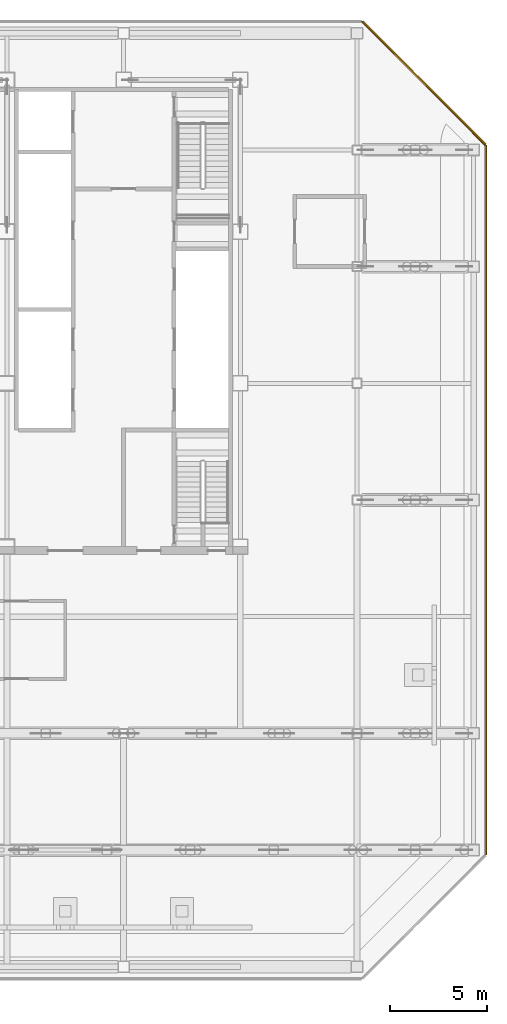
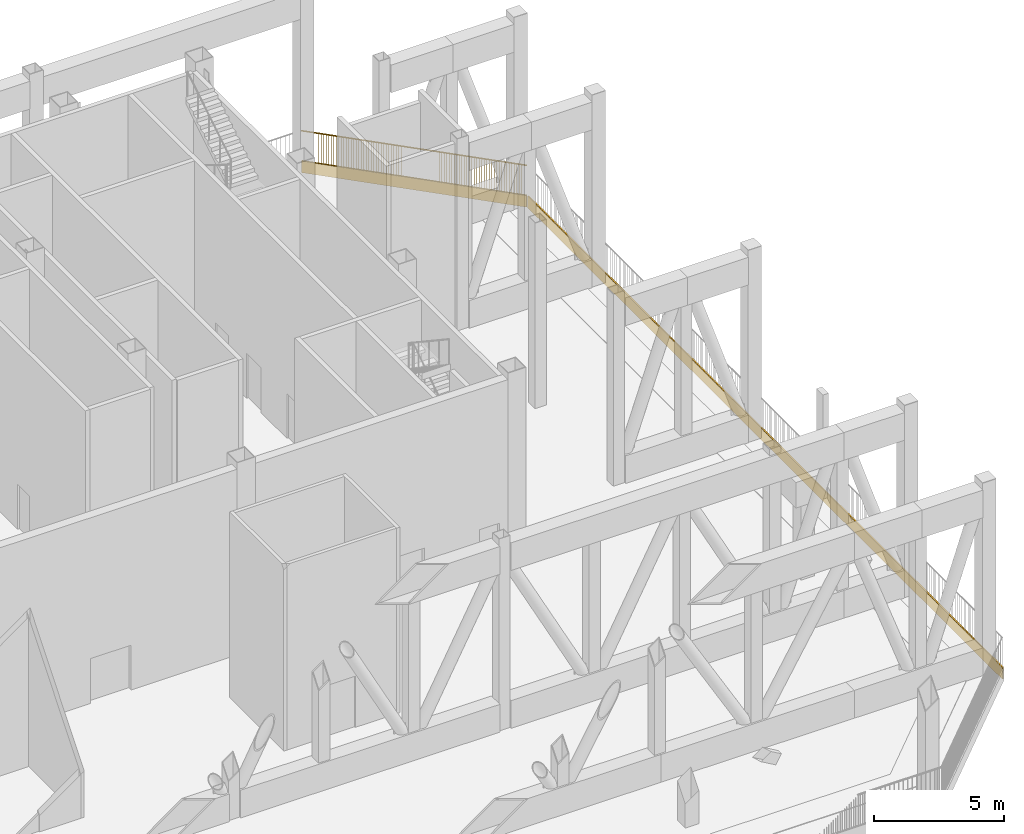
# One storey, part 21 of 22: 2 coverings, 1 railing.
"""IFC4 building model written with IfcOpenShell, lengths in metres."""

from ifc_helpers import new_model, si_unit, direction, frame, origin, origin_2d, place, context, subcontext, project, spatial, polyline, circle, outline, extrude, material, layer, layer_set, type_object, element, save


model = new_model("IFC4")

# Units and contexts
model_context = context("Model", 3, precision=1e-05, world=origin(), true_north=direction((0.0, 1.0)))
body_context = subcontext(model_context, "Body", "Model", "MODEL_VIEW")
ifc_project = project(units=[si_unit("LENGTHUNIT", "METRE"), si_unit("AREAUNIT", "SQUARE_METRE"), si_unit("VOLUMEUNIT", "CUBIC_METRE"), si_unit("PLANEANGLEUNIT", "RADIAN"), si_unit("MASSUNIT", "GRAM", prefix="KILO")], contexts=[model_context])

# Site, building, storey
site_placement = place(None, origin())
site = spatial("IfcSite", under=ifc_project, at=site_placement, CompositionType="ELEMENT")
building_placement = place(site_placement, origin())
building = spatial("IfcBuilding", under=site, at=building_placement, Name="Sorahane Residences", CompositionType="ELEMENT")
storey_placement = place(building_placement, frame((0.0, 0.0, 281.800048828125)))
storey = spatial("IfcBuildingStorey", under=building, at=storey_placement, Name="L67", CompositionType="ELEMENT", Elevation=281.800048828125)

# Coverings
ifc_material_1 = material(Name="White painted aluminium cladding", Category="aluminium")
ifc_layer = layer(ifc_material_1, 0.06005859375)
ifc_layer_set = layer_set([ifc_layer], Name="Slab edge fascia band white painted aluminium 550")
covering_type = type_object("IfcCoveringType", Name="Slab edge fascia band white painted aluminium 550", PredefinedType="CLADDING", material=ifc_layer_set)
covering_1_placement = place(storey_placement, frame((54.60009765625, 5.771484375, -0.275146484375), z_axis=(0.0, 1.0, 0.0), x_axis=(-1.0, 0.0, 0.0)))
element("IfcCovering", 1, at=covering_1_placement, inside=storey, type_object=covering_type, Name="Slab edge fascia white L67 E1", PredefinedType="CLADDING", context=body_context, shape_type="SweptSolid", body=[
    extrude(outline(polyline([(-0.02001953125, 0.27490234375), (-0.080078125, 0.27490234375), (-0.080078125, -0.27490234375), (-0.02001953125, -0.27490234375), (-0.02001953125, 0.27490234375)])), origin(), (0.0, 0.0, 1.0), 36.45703125),
])
covering_2_placement = place(storey_placement, frame((54.5859375, 42.2626953125, -0.275146484375), z_axis=(-0.707106781187, 0.707106781187, 0.0), x_axis=(-0.707106781187, -0.707106781187, 0.0)))
element("IfcCovering", 2, at=covering_2_placement, inside=storey, type_object=covering_type, Name="Slab edge fascia white L67 NE1", PredefinedType="CLADDING", context=body_context, shape_type="SweptSolid", body=[
    extrude(outline(polyline([(-0.02001953125, 0.27490234375), (-0.080078125, 0.27490234375), (-0.080078125, -0.27490234375), (-0.02001953125, -0.27490234375), (-0.02001953125, 0.27490234375)])), origin(), (0.0, 0.0, 1.0), 8.9423828125),
])

# Railing
ifc_material_2 = material(Name="Black powder-coated steel", Category="steel")
railing_type = type_object("IfcRailingType", Name="Slot edge guard black steel bars 1460", PredefinedType="GUARDRAIL", material=ifc_material_2)
railing_placement = place(storey_placement, frame((54.60009765625, 42.24853515625, 0.0)))
element("IfcRailing", 3, at=railing_placement, inside=storey, type_object=railing_type, Name="Slot edge guard L67.4", PredefinedType="GUARDRAIL", context=body_context, shape_type="SweptSolid", body=[
    extrude(circle(Radius=0.030029296875, at=origin_2d()), frame((0.0, 0.0, 1.429931640625), z_axis=(-0.707106781187, 0.707106781187, 0.0), x_axis=(-0.707106781187, -0.707106781187, 0.0)), (0.0, 0.0, 1.0), 8.982421875),
    extrude(circle(Radius=0.0068359375, at=origin_2d()), origin(), (0.0, 0.0, 1.0), 1.39990234375),
    extrude(circle(Radius=0.0068359375, at=origin_2d()), frame((-0.070556640625, 0.070556640625, 0.0)), (0.0, 0.0, 1.0), 1.39990234375),
    extrude(circle(Radius=0.0068359375, at=origin_2d()), frame((-0.14111328125, 0.14111328125, 0.0)), (0.0, 0.0, 1.0), 1.39990234375),
    extrude(circle(Radius=0.0068359375, at=origin_2d()), frame((-0.211669921875, 0.211669921875, 0.0)), (0.0, 0.0, 1.0), 1.39990234375),
    extrude(circle(Radius=0.0068359375, at=origin_2d()), frame((-0.2822265625, 0.2822265625, 0.0)), (0.0, 0.0, 1.0), 1.39990234375),
    extrude(circle(Radius=0.0068359375, at=origin_2d()), frame((-0.352783203125, 0.352783203125, 0.0)), (0.0, 0.0, 1.0), 1.39990234375),
    extrude(circle(Radius=0.0068359375, at=origin_2d()), frame((-0.42333984375, 0.42333984375, 0.0)), (0.0, 0.0, 1.0), 1.39990234375),
    extrude(circle(Radius=0.0068359375, at=origin_2d()), frame((-0.493896484375, 0.493896484375, 0.0)), (0.0, 0.0, 1.0), 1.39990234375),
    extrude(circle(Radius=0.0068359375, at=origin_2d()), frame((-0.564697265625, 0.564697265625, 0.0)), (0.0, 0.0, 1.0), 1.39990234375),
    extrude(circle(Radius=0.0068359375, at=origin_2d()), frame((-0.63525390625, 0.63525390625, 0.0)), (0.0, 0.0, 1.0), 1.39990234375),
    extrude(circle(Radius=0.0068359375, at=origin_2d()), frame((-0.705810546875, 0.705810546875, 0.0)), (0.0, 0.0, 1.0), 1.39990234375),
    extrude(circle(Radius=0.0068359375, at=origin_2d()), frame((-0.7763671875, 0.7763671875, 0.0)), (0.0, 0.0, 1.0), 1.39990234375),
    extrude(circle(Radius=0.0068359375, at=origin_2d()), frame((-0.846923828125, 0.846923828125, 0.0)), (0.0, 0.0, 1.0), 1.39990234375),
    extrude(circle(Radius=0.0068359375, at=origin_2d()), frame((-0.91748046875, 0.91748046875, 0.0)), (0.0, 0.0, 1.0), 1.39990234375),
    extrude(circle(Radius=0.0068359375, at=origin_2d()), frame((-0.988037109375, 0.988037109375, 0.0)), (0.0, 0.0, 1.0), 1.39990234375),
    extrude(circle(Radius=0.0068359375, at=origin_2d()), frame((-1.05859375, 1.05859375, 0.0)), (0.0, 0.0, 1.0), 1.39990234375),
    extrude(circle(Radius=0.0068359375, at=origin_2d()), frame((-1.129150390625, 1.129150390625, 0.0)), (0.0, 0.0, 1.0), 1.39990234375),
    extrude(circle(Radius=0.0068359375, at=origin_2d()), frame((-1.19970703125, 1.19970703125, 0.0)), (0.0, 0.0, 1.0), 1.39990234375),
    extrude(circle(Radius=0.0068359375, at=origin_2d()), frame((-1.270263671875, 1.270263671875, 0.0)), (0.0, 0.0, 1.0), 1.39990234375),
    extrude(circle(Radius=0.0068359375, at=origin_2d()), frame((-1.3408203125, 1.3408203125, 0.0)), (0.0, 0.0, 1.0), 1.39990234375),
    extrude(circle(Radius=0.0068359375, at=origin_2d()), frame((-1.411376953125, 1.411376953125, 0.0)), (0.0, 0.0, 1.0), 1.39990234375),
    extrude(circle(Radius=0.0068359375, at=origin_2d()), frame((-1.48193359375, 1.48193359375, 0.0)), (0.0, 0.0, 1.0), 1.39990234375),
    extrude(circle(Radius=0.0068359375, at=origin_2d()), frame((-1.552490234375, 1.552490234375, 0.0)), (0.0, 0.0, 1.0), 1.39990234375),
    extrude(circle(Radius=0.0068359375, at=origin_2d()), frame((-1.623291015625, 1.623291015625, 0.0)), (0.0, 0.0, 1.0), 1.39990234375),
    extrude(circle(Radius=0.0068359375, at=origin_2d()), frame((-1.69384765625, 1.69384765625, 0.0)), (0.0, 0.0, 1.0), 1.39990234375),
    extrude(circle(Radius=0.0068359375, at=origin_2d()), frame((-1.764404296875, 1.764404296875, 0.0)), (0.0, 0.0, 1.0), 1.39990234375),
    extrude(circle(Radius=0.0068359375, at=origin_2d()), frame((-1.8349609375, 1.8349609375, 0.0)), (0.0, 0.0, 1.0), 1.39990234375),
    extrude(circle(Radius=0.0068359375, at=origin_2d()), frame((-1.905517578125, 1.905517578125, 0.0)), (0.0, 0.0, 1.0), 1.39990234375),
    extrude(circle(Radius=0.0068359375, at=origin_2d()), frame((-1.97607421875, 1.97607421875, 0.0)), (0.0, 0.0, 1.0), 1.39990234375),
    extrude(circle(Radius=0.0068359375, at=origin_2d()), frame((-2.046630859375, 2.046630859375, 0.0)), (0.0, 0.0, 1.0), 1.39990234375),
    extrude(circle(Radius=0.0068359375, at=origin_2d()), frame((-2.1171875, 2.1171875, 0.0)), (0.0, 0.0, 1.0), 1.39990234375),
    extrude(circle(Radius=0.0068359375, at=origin_2d()), frame((-2.187744140625, 2.187744140625, 0.0)), (0.0, 0.0, 1.0), 1.39990234375),
    extrude(circle(Radius=0.0068359375, at=origin_2d()), frame((-2.25830078125, 2.25830078125, 0.0)), (0.0, 0.0, 1.0), 1.39990234375),
    extrude(circle(Radius=0.0068359375, at=origin_2d()), frame((-2.328857421875, 2.328857421875, 0.0)), (0.0, 0.0, 1.0), 1.39990234375),
    extrude(circle(Radius=0.0068359375, at=origin_2d()), frame((-2.3994140625, 2.3994140625, 0.0)), (0.0, 0.0, 1.0), 1.39990234375),
    extrude(circle(Radius=0.0068359375, at=origin_2d()), frame((-2.469970703125, 2.469970703125, 0.0)), (0.0, 0.0, 1.0), 1.39990234375),
    extrude(circle(Radius=0.0068359375, at=origin_2d()), frame((-2.54052734375, 2.54052734375, 0.0)), (0.0, 0.0, 1.0), 1.39990234375),
    extrude(circle(Radius=0.0068359375, at=origin_2d()), frame((-2.611083984375, 2.611083984375, 0.0)), (0.0, 0.0, 1.0), 1.39990234375),
    extrude(circle(Radius=0.0068359375, at=origin_2d()), frame((-2.681884765625, 2.681884765625, 0.0)), (0.0, 0.0, 1.0), 1.39990234375),
    extrude(circle(Radius=0.0068359375, at=origin_2d()), frame((-2.75244140625, 2.75244140625, 0.0)), (0.0, 0.0, 1.0), 1.39990234375),
    extrude(circle(Radius=0.0068359375, at=origin_2d()), frame((-2.822998046875, 2.822998046875, 0.0)), (0.0, 0.0, 1.0), 1.39990234375),
    extrude(circle(Radius=0.0068359375, at=origin_2d()), frame((-2.8935546875, 2.8935546875, 0.0)), (0.0, 0.0, 1.0), 1.39990234375),
    extrude(circle(Radius=0.0068359375, at=origin_2d()), frame((-2.964111328125, 2.964111328125, 0.0)), (0.0, 0.0, 1.0), 1.39990234375),
    extrude(circle(Radius=0.0068359375, at=origin_2d()), frame((-3.03466796875, 3.03466796875, 0.0)), (0.0, 0.0, 1.0), 1.39990234375),
    extrude(circle(Radius=0.0068359375, at=origin_2d()), frame((-3.105224609375, 3.105224609375, 0.0)), (0.0, 0.0, 1.0), 1.39990234375),
    extrude(circle(Radius=0.0068359375, at=origin_2d()), frame((-3.17578125, 3.17578125, 0.0)), (0.0, 0.0, 1.0), 1.39990234375),
    extrude(circle(Radius=0.0068359375, at=origin_2d()), frame((-3.246337890625, 3.246337890625, 0.0)), (0.0, 0.0, 1.0), 1.39990234375),
    extrude(circle(Radius=0.0068359375, at=origin_2d()), frame((-3.31689453125, 3.31689453125, 0.0)), (0.0, 0.0, 1.0), 1.39990234375),
    extrude(circle(Radius=0.0068359375, at=origin_2d()), frame((-3.387451171875, 3.387451171875, 0.0)), (0.0, 0.0, 1.0), 1.39990234375),
    extrude(circle(Radius=0.0068359375, at=origin_2d()), frame((-3.4580078125, 3.4580078125, 0.0)), (0.0, 0.0, 1.0), 1.39990234375),
    extrude(circle(Radius=0.0068359375, at=origin_2d()), frame((-3.528564453125, 3.528564453125, 0.0)), (0.0, 0.0, 1.0), 1.39990234375),
    extrude(circle(Radius=0.0068359375, at=origin_2d()), frame((-3.59912109375, 3.59912109375, 0.0)), (0.0, 0.0, 1.0), 1.39990234375),
    extrude(circle(Radius=0.0068359375, at=origin_2d()), frame((-3.669677734375, 3.669677734375, 0.0)), (0.0, 0.0, 1.0), 1.39990234375),
    extrude(circle(Radius=0.0068359375, at=origin_2d()), frame((-3.740478515625, 3.740478515625, 0.0)), (0.0, 0.0, 1.0), 1.39990234375),
    extrude(circle(Radius=0.0068359375, at=origin_2d()), frame((-3.81103515625, 3.81103515625, 0.0)), (0.0, 0.0, 1.0), 1.39990234375),
    extrude(circle(Radius=0.0068359375, at=origin_2d()), frame((-3.881591796875, 3.881591796875, 0.0)), (0.0, 0.0, 1.0), 1.39990234375),
    extrude(circle(Radius=0.0068359375, at=origin_2d()), frame((-3.9521484375, 3.9521484375, 0.0)), (0.0, 0.0, 1.0), 1.39990234375),
    extrude(circle(Radius=0.0068359375, at=origin_2d()), frame((-4.022705078125, 4.022705078125, 0.0)), (0.0, 0.0, 1.0), 1.39990234375),
    extrude(circle(Radius=0.0068359375, at=origin_2d()), frame((-4.09326171875, 4.09326171875, 0.0)), (0.0, 0.0, 1.0), 1.39990234375),
    extrude(circle(Radius=0.0068359375, at=origin_2d()), frame((-4.163818359375, 4.163818359375, 0.0)), (0.0, 0.0, 1.0), 1.39990234375),
    extrude(circle(Radius=0.0068359375, at=origin_2d()), frame((-4.234375, 4.234375, 0.0)), (0.0, 0.0, 1.0), 1.39990234375),
    extrude(circle(Radius=0.0068359375, at=origin_2d()), frame((-4.304931640625, 4.304931640625, 0.0)), (0.0, 0.0, 1.0), 1.39990234375),
    extrude(circle(Radius=0.0068359375, at=origin_2d()), frame((-4.37548828125, 4.37548828125, 0.0)), (0.0, 0.0, 1.0), 1.39990234375),
    extrude(circle(Radius=0.0068359375, at=origin_2d()), frame((-4.446044921875, 4.446044921875, 0.0)), (0.0, 0.0, 1.0), 1.39990234375),
    extrude(circle(Radius=0.0068359375, at=origin_2d()), frame((-4.5166015625, 4.5166015625, 0.0)), (0.0, 0.0, 1.0), 1.39990234375),
    extrude(circle(Radius=0.0068359375, at=origin_2d()), frame((-4.587158203125, 4.587158203125, 0.0)), (0.0, 0.0, 1.0), 1.39990234375),
    extrude(circle(Radius=0.0068359375, at=origin_2d()), frame((-4.65771484375, 4.65771484375, 0.0)), (0.0, 0.0, 1.0), 1.39990234375),
    extrude(circle(Radius=0.0068359375, at=origin_2d()), frame((-4.728271484375, 4.728271484375, 0.0)), (0.0, 0.0, 1.0), 1.39990234375),
    extrude(circle(Radius=0.0068359375, at=origin_2d()), frame((-4.799072265625, 4.799072265625, 0.0)), (0.0, 0.0, 1.0), 1.39990234375),
    extrude(circle(Radius=0.0068359375, at=origin_2d()), frame((-4.86962890625, 4.86962890625, 0.0)), (0.0, 0.0, 1.0), 1.39990234375),
    extrude(circle(Radius=0.0068359375, at=origin_2d()), frame((-4.940185546875, 4.940185546875, 0.0)), (0.0, 0.0, 1.0), 1.39990234375),
    extrude(circle(Radius=0.0068359375, at=origin_2d()), frame((-5.0107421875, 5.0107421875, 0.0)), (0.0, 0.0, 1.0), 1.39990234375),
    extrude(circle(Radius=0.0068359375, at=origin_2d()), frame((-5.081298828125, 5.081298828125, 0.0)), (0.0, 0.0, 1.0), 1.39990234375),
    extrude(circle(Radius=0.0068359375, at=origin_2d()), frame((-5.15185546875, 5.15185546875, 0.0)), (0.0, 0.0, 1.0), 1.39990234375),
    extrude(circle(Radius=0.0068359375, at=origin_2d()), frame((-5.222412109375, 5.222412109375, 0.0)), (0.0, 0.0, 1.0), 1.39990234375),
    extrude(circle(Radius=0.0068359375, at=origin_2d()), frame((-5.29296875, 5.29296875, 0.0)), (0.0, 0.0, 1.0), 1.39990234375),
    extrude(circle(Radius=0.0068359375, at=origin_2d()), frame((-5.363525390625, 5.363525390625, 0.0)), (0.0, 0.0, 1.0), 1.39990234375),
    extrude(circle(Radius=0.0068359375, at=origin_2d()), frame((-5.43408203125, 5.43408203125, 0.0)), (0.0, 0.0, 1.0), 1.39990234375),
    extrude(circle(Radius=0.0068359375, at=origin_2d()), frame((-5.504638671875, 5.504638671875, 0.0)), (0.0, 0.0, 1.0), 1.39990234375),
    extrude(circle(Radius=0.0068359375, at=origin_2d()), frame((-5.5751953125, 5.5751953125, 0.0)), (0.0, 0.0, 1.0), 1.39990234375),
    extrude(circle(Radius=0.0068359375, at=origin_2d()), frame((-5.645751953125, 5.645751953125, 0.0)), (0.0, 0.0, 1.0), 1.39990234375),
    extrude(circle(Radius=0.0068359375, at=origin_2d()), frame((-5.71630859375, 5.71630859375, 0.0)), (0.0, 0.0, 1.0), 1.39990234375),
    extrude(circle(Radius=0.0068359375, at=origin_2d()), frame((-5.786865234375, 5.786865234375, 0.0)), (0.0, 0.0, 1.0), 1.39990234375),
    extrude(circle(Radius=0.0068359375, at=origin_2d()), frame((-5.857666015625, 5.857666015625, 0.0)), (0.0, 0.0, 1.0), 1.39990234375),
    extrude(circle(Radius=0.0068359375, at=origin_2d()), frame((-5.92822265625, 5.92822265625, 0.0)), (0.0, 0.0, 1.0), 1.39990234375),
    extrude(circle(Radius=0.0068359375, at=origin_2d()), frame((-5.998779296875, 5.998779296875, 0.0)), (0.0, 0.0, 1.0), 1.39990234375),
    extrude(circle(Radius=0.0068359375, at=origin_2d()), frame((-6.0693359375, 6.0693359375, 0.0)), (0.0, 0.0, 1.0), 1.39990234375),
    extrude(circle(Radius=0.0068359375, at=origin_2d()), frame((-6.139892578125, 6.139892578125, 0.0)), (0.0, 0.0, 1.0), 1.39990234375),
    extrude(circle(Radius=0.0068359375, at=origin_2d()), frame((-6.21044921875, 6.21044921875, 0.0)), (0.0, 0.0, 1.0), 1.39990234375),
    extrude(circle(Radius=0.0068359375, at=origin_2d()), frame((-6.281005859375, 6.281005859375, 0.0)), (0.0, 0.0, 1.0), 1.39990234375),
    extrude(circle(Radius=0.0068359375, at=origin_2d()), frame((-6.3515625, 6.3515625, 0.0)), (0.0, 0.0, 1.0), 1.39990234375),
])

save(model, "model.ifc")
